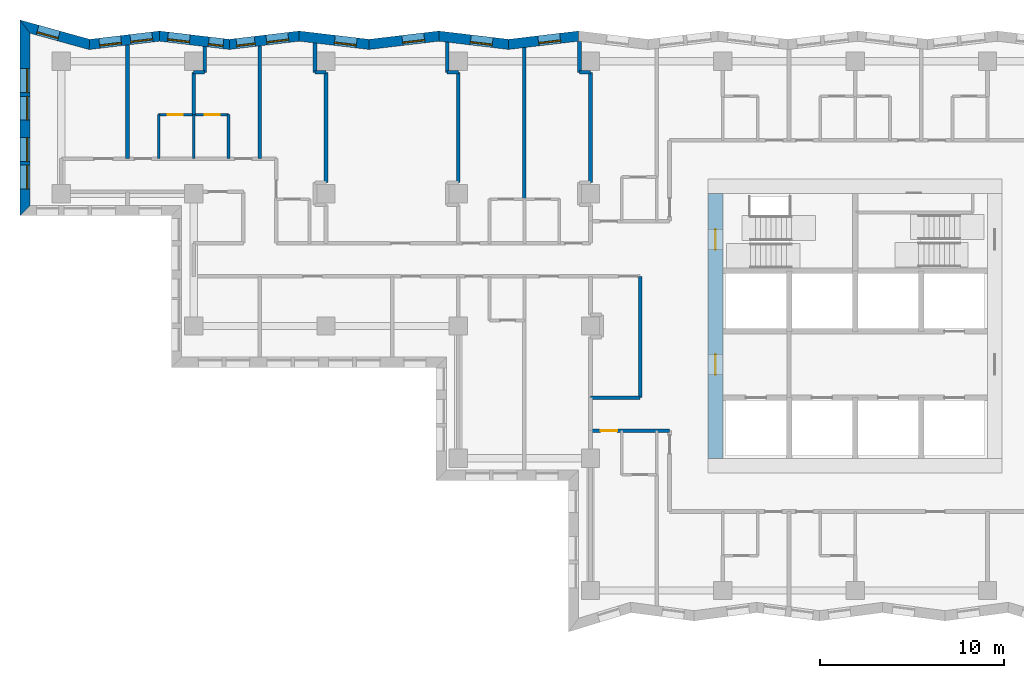
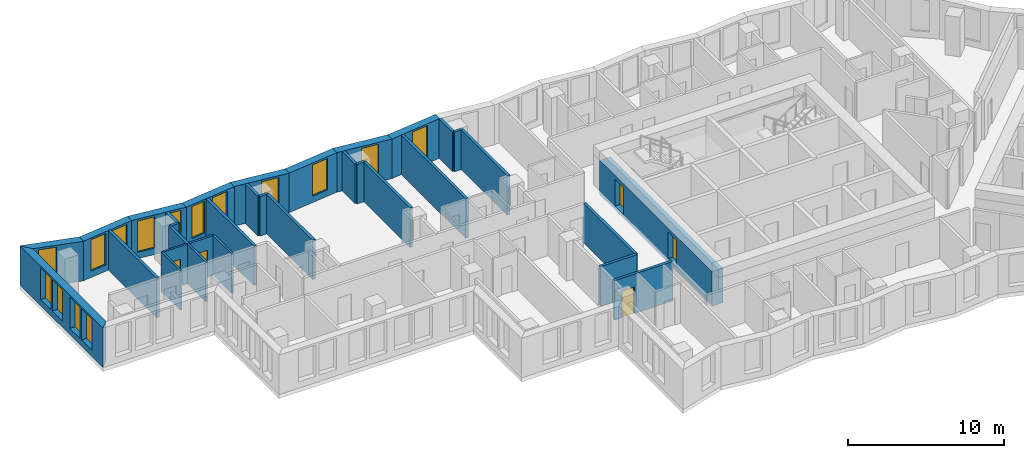
# One storey, part 5 of 13: 32 walls, 15 windows, 5 doors, 20 openings.
"""IFC4 building model written with IfcOpenShell, lengths in metres."""

from ifc_helpers import new_model, si_unit, direction, frame, frame_2d, origin, place, context, subcontext, project, spatial, polyline, rectangle, outline, extrude, material, layer, layer_set, type_object, element, fill, save


model = new_model("IFC4")

# Units and contexts
model_context = context("Model", 3, precision=1e-05, world=origin(), true_north=direction((0.0, 1.0)))
body_context = subcontext(model_context, "Body", "Model", "MODEL_VIEW")
ifc_project = project(units=[si_unit("LENGTHUNIT", "METRE"), si_unit("AREAUNIT", "SQUARE_METRE"), si_unit("VOLUMEUNIT", "CUBIC_METRE"), si_unit("PLANEANGLEUNIT", "RADIAN"), si_unit("MASSUNIT", "GRAM", prefix="KILO")], contexts=[model_context])

# Site, building, storey
site_placement = place(None, origin())
site = spatial("IfcSite", under=ifc_project, at=site_placement, CompositionType="ELEMENT")
building_placement = place(site_placement, origin())
building = spatial("IfcBuilding", under=site, at=building_placement, Name="Windrow Commons", CompositionType="ELEMENT")
storey_placement = place(building_placement, frame((0.0, 0.0, 98.2)))
storey = spatial("IfcBuildingStorey", under=building, at=storey_placement, Name="L26", CompositionType="ELEMENT", Elevation=98.2)

# Wall, opening, window
ifc_material_1 = material(Name="Brick masonry, red clay brick", Category="masonry")
ifc_layer_1 = layer(ifc_material_1, 0.55)
ifc_layer_set_1 = layer_set([ifc_layer_1], Name="Brick facade wall 550")
wall_type_1 = type_object("IfcWallType", Name="Brick facade wall 550", PredefinedType="SOLIDWALL", material=ifc_layer_set_1)
wall_1_placement = place(storey_placement, frame((49.7407, 73.3741, 0.0), z_axis=(0.0, 0.0, 1.0), x_axis=(-0.9930265769, -0.1178907016, 0.0)))
wall_1 = element("IfcWall", 1, at=wall_1_placement, inside=storey, type_object=wall_type_1, Name="Brick facade wall L26 29", PredefinedType="SOLIDWALL", context=body_context, shape_type="SweptSolid", body=[
    extrude(outline(polyline([(-0.0326, -0.275), (3.793, -0.275), (3.8583, 0.275), (0.0326, 0.275), (-0.0326, -0.275)])), origin(), (0.0, 0.0, 1.0), 3.1),
])
opening_1_placement = place(wall_1_placement, frame((0.997, 0.0, 0.5)))
opening_1 = element("IfcOpeningElement", 2, at=opening_1_placement, cuts=wall_1, Name="Opening W7D", PredefinedType="OPENING", context=body_context, shape_type="SweptSolid", body=[
    extrude(rectangle(XDim=1.2, YDim=2.45, at=frame_2d((0.6, 1.225))), frame((0.0, 0.285, 0.0), z_axis=(0.0, -1.0, 0.0), x_axis=(1.0, 0.0, 0.0)), (0.0, 0.0, 1.0), 0.57),
])
ifc_material_2 = material(Name="Clear float glass in anodised aluminium frame", Category="aluminium")
window_type_1 = type_object("IfcWindowType", Name="Window W7 notch 1200x2450", PartitioningType="SINGLE_PANEL", PredefinedType="WINDOW", material=ifc_material_2)
window_1_placement = place(opening_1_placement, origin())
window_1 = element("IfcWindow", 3, at=window_1_placement, inside=storey, type_object=window_type_1, Name="Window L26 29.1", OverallHeight=2.45, OverallWidth=1.2, PartitioningType="SINGLE_PANEL", PredefinedType="WINDOW", context=body_context, shape_type="SweptSolid", body=[
    extrude(rectangle(XDim=1.2, YDim=2.45, at=frame_2d((0.6, 1.225))), frame((0.0, 0.155, 0.0), z_axis=(0.0, -1.0, 0.0), x_axis=(1.0, 0.0, 0.0)), (0.0, 0.0, 1.0), 0.06),
])
fill(opening_1, window_1)

wall_2_placement = place(storey_placement, frame((45.9418, 72.9231, 0.0), z_axis=(0.0, 0.0, 1.0), x_axis=(-0.9930269402, 0.1178876415, 0.0)))
wall_2 = element("IfcWall", 4, at=wall_2_placement, inside=storey, type_object=wall_type_1, Name="Brick facade wall L26 30", PredefinedType="SOLIDWALL", context=body_context, shape_type="SweptSolid", body=[
    extrude(outline(polyline([(0.0326, -0.275), (3.8583, -0.275), (3.793, 0.275), (-0.0326, 0.275), (0.0326, -0.275)])), origin(), (0.0, 0.0, 1.0), 3.1),
])
opening_2_placement = place(wall_2_placement, frame((0.8805, 0.0, 0.5)))
opening_2 = element("IfcOpeningElement", 5, at=opening_2_placement, cuts=wall_2, Name="Opening W7D", PredefinedType="OPENING", context=body_context, shape_type="SweptSolid", body=[
    extrude(rectangle(XDim=1.2, YDim=2.45, at=frame_2d((0.6, 1.225))), frame((0.0, 0.285, 0.0), z_axis=(0.0, -1.0, 0.0), x_axis=(1.0, 0.0, 0.0)), (0.0, 0.0, 1.0), 0.57),
])
window_2_placement = place(opening_2_placement, origin())
window_2 = element("IfcWindow", 6, at=window_2_placement, inside=storey, type_object=window_type_1, Name="Window L26 30.1", OverallHeight=2.45, OverallWidth=1.2, PartitioningType="SINGLE_PANEL", PredefinedType="WINDOW", context=body_context, shape_type="SweptSolid", body=[
    extrude(rectangle(XDim=1.2, YDim=2.45, at=frame_2d((0.6, 1.225))), frame((0.0, 0.155, 0.0), z_axis=(0.0, -1.0, 0.0), x_axis=(1.0, 0.0, 0.0)), (0.0, 0.0, 1.0), 0.06),
])
fill(opening_2, window_2)

wall_3_placement = place(storey_placement, frame((42.1428, 73.3741, 0.0), z_axis=(0.0, 0.0, 1.0), x_axis=(-0.9930269402, -0.1178876415, 0.0)))
wall_3 = element("IfcWall", 7, at=wall_3_placement, inside=storey, type_object=wall_type_1, Name="Brick facade wall L26 31", PredefinedType="SOLIDWALL", context=body_context, shape_type="SweptSolid", body=[
    extrude(outline(polyline([(-0.0326, -0.275), (3.793, -0.275), (3.8583, 0.275), (0.0326, 0.275), (-0.0326, -0.275)])), origin(), (0.0, 0.0, 1.0), 3.1),
])
opening_3_placement = place(wall_3_placement, frame((0.7966, 0.0, 0.5)))
opening_3 = element("IfcOpeningElement", 8, at=opening_3_placement, cuts=wall_3, Name="Opening W7D", PredefinedType="OPENING", context=body_context, shape_type="SweptSolid", body=[
    extrude(rectangle(XDim=1.2, YDim=2.45, at=frame_2d((0.6, 1.225))), frame((0.0, 0.285, 0.0), z_axis=(0.0, -1.0, 0.0), x_axis=(1.0, 0.0, 0.0)), (0.0, 0.0, 1.0), 0.57),
])
window_3_placement = place(opening_3_placement, origin())
window_3 = element("IfcWindow", 9, at=window_3_placement, inside=storey, type_object=window_type_1, Name="Window L26 31.1", OverallHeight=2.45, OverallWidth=1.2, PartitioningType="SINGLE_PANEL", PredefinedType="WINDOW", context=body_context, shape_type="SweptSolid", body=[
    extrude(rectangle(XDim=1.2, YDim=2.45, at=frame_2d((0.6, 1.225))), frame((0.0, 0.155, 0.0), z_axis=(0.0, -1.0, 0.0), x_axis=(1.0, 0.0, 0.0)), (0.0, 0.0, 1.0), 0.06),
])
fill(opening_3, window_3)

wall_4_placement = place(storey_placement, frame((38.3438, 72.9231, 0.0), z_axis=(0.0, 0.0, 1.0), x_axis=(-0.9930265769, 0.1178907016, 0.0)))
wall_4 = element("IfcWall", 10, at=wall_4_placement, inside=storey, type_object=wall_type_1, Name="Brick facade wall L26 32", PredefinedType="SOLIDWALL", context=body_context, shape_type="SweptSolid", body=[
    extrude(outline(polyline([(0.0326, -0.275), (3.8583, -0.275), (3.793, 0.275), (-0.0326, 0.275), (0.0326, -0.275)])), origin(), (0.0, 0.0, 1.0), 3.1),
])
opening_4_placement = place(wall_4_placement, frame((0.6801, 0.0, 0.5)))
opening_4 = element("IfcOpeningElement", 11, at=opening_4_placement, cuts=wall_4, Name="Opening W7D", PredefinedType="OPENING", context=body_context, shape_type="SweptSolid", body=[
    extrude(rectangle(XDim=1.2, YDim=2.45, at=frame_2d((0.6, 1.225))), frame((0.0, 0.285, 0.0), z_axis=(0.0, -1.0, 0.0), x_axis=(1.0, 0.0, 0.0)), (0.0, 0.0, 1.0), 0.57),
])
window_4_placement = place(opening_4_placement, origin())
window_4 = element("IfcWindow", 12, at=window_4_placement, inside=storey, type_object=window_type_1, Name="Window L26 32.1", OverallHeight=2.45, OverallWidth=1.2, PartitioningType="SINGLE_PANEL", PredefinedType="WINDOW", context=body_context, shape_type="SweptSolid", body=[
    extrude(rectangle(XDim=1.2, YDim=2.45, at=frame_2d((0.6, 1.225))), frame((0.0, 0.155, 0.0), z_axis=(0.0, -1.0, 0.0), x_axis=(1.0, 0.0, 0.0)), (0.0, 0.0, 1.0), 0.06),
])
fill(opening_4, window_4)

# Wall, openings, windows
wall_5_placement = place(storey_placement, frame((34.5449, 73.3741, 0.0), z_axis=(0.0, 0.0, 1.0), x_axis=(-0.9930269402, -0.1178876415, 0.0)))
wall_5 = element("IfcWall", 13, at=wall_5_placement, inside=storey, type_object=wall_type_1, Name="Brick facade wall L26 33", PredefinedType="SOLIDWALL", context=body_context, shape_type="SweptSolid", body=[
    extrude(outline(polyline([(-0.0326, -0.275), (3.793, -0.275), (3.8583, 0.275), (0.0326, 0.275), (-0.0326, -0.275)])), origin(), (0.0, 0.0, 1.0), 3.1),
])
opening_5_placement = place(wall_5_placement, frame((0.5963, 0.0, 0.5)))
opening_5 = element("IfcOpeningElement", 14, at=opening_5_placement, cuts=wall_5, Name="Opening W7D", PredefinedType="OPENING", context=body_context, shape_type="SweptSolid", body=[
    extrude(rectangle(XDim=1.2, YDim=2.45, at=frame_2d((0.6, 1.225))), frame((0.0, 0.285, 0.0), z_axis=(0.0, -1.0, 0.0), x_axis=(1.0, 0.0, 0.0)), (0.0, 0.0, 1.0), 0.57),
])
opening_6_placement = place(wall_5_placement, frame((2.4343, 0.0, 0.45)))
opening_6 = element("IfcOpeningElement", 15, at=opening_6_placement, cuts=wall_5, Name="Opening W1S", PredefinedType="OPENING", context=body_context, shape_type="SweptSolid", body=[
    extrude(rectangle(XDim=1.0, YDim=2.5, at=frame_2d((0.5, 1.25))), frame((0.0, 0.285, 0.0), z_axis=(0.0, -1.0, 0.0), x_axis=(1.0, 0.0, 0.0)), (0.0, 0.0, 1.0), 0.57),
])
ifc_material_3 = material(Name="Clear float glass in anodised aluminium frame", Category="aluminium")
window_type_2 = type_object("IfcWindowType", Name="Window W1S slit 1000x2500", PartitioningType="SINGLE_PANEL", PredefinedType="WINDOW", material=ifc_material_3)
window_5_placement = place(opening_6_placement, origin())
window_5 = element("IfcWindow", 16, at=window_5_placement, inside=storey, type_object=window_type_2, Name="Window L26 33.2A", OverallHeight=2.5, OverallWidth=1.0, PartitioningType="SINGLE_PANEL", PredefinedType="WINDOW", context=body_context, shape_type="SweptSolid", body=[
    extrude(rectangle(XDim=1.0, YDim=2.5, at=frame_2d((0.5, 1.25))), frame((0.0, 0.155, 0.0), z_axis=(0.0, -1.0, 0.0), x_axis=(1.0, 0.0, 0.0)), (0.0, 0.0, 1.0), 0.06),
])
fill(opening_6, window_5)
window_6_placement = place(opening_5_placement, origin())
window_6 = element("IfcWindow", 17, at=window_6_placement, inside=storey, type_object=window_type_1, Name="Window L26 33.1", OverallHeight=2.45, OverallWidth=1.2, PartitioningType="SINGLE_PANEL", PredefinedType="WINDOW", context=body_context, shape_type="SweptSolid", body=[
    extrude(rectangle(XDim=1.2, YDim=2.45, at=frame_2d((0.6, 1.225))), frame((0.0, 0.155, 0.0), z_axis=(0.0, -1.0, 0.0), x_axis=(1.0, 0.0, 0.0)), (0.0, 0.0, 1.0), 0.06),
])
fill(opening_5, window_6)

wall_6_placement = place(storey_placement, frame((30.7459, 72.9231, 0.0), z_axis=(0.0, 0.0, 1.0), x_axis=(-0.9930269402, 0.1178876415, 0.0)))
wall_6 = element("IfcWall", 18, at=wall_6_placement, inside=storey, type_object=wall_type_1, Name="Brick facade wall L26 34", PredefinedType="SOLIDWALL", context=body_context, shape_type="SweptSolid", body=[
    extrude(outline(polyline([(0.0326, -0.275), (3.8583, -0.275), (3.793, 0.275), (-0.0326, 0.275), (0.0326, -0.275)])), origin(), (0.0, 0.0, 1.0), 3.1),
])
opening_7_placement = place(wall_6_placement, frame((2.1763, 0.0, 0.5)))
opening_7 = element("IfcOpeningElement", 19, at=opening_7_placement, cuts=wall_6, Name="Opening W7D", PredefinedType="OPENING", context=body_context, shape_type="SweptSolid", body=[
    extrude(rectangle(XDim=1.2, YDim=2.45, at=frame_2d((0.6, 1.225))), frame((0.0, 0.285, 0.0), z_axis=(0.0, -1.0, 0.0), x_axis=(1.0, 0.0, 0.0)), (0.0, 0.0, 1.0), 0.57),
])
opening_8_placement = place(wall_6_placement, frame((0.3365, 0.0, 0.45)))
opening_8 = element("IfcOpeningElement", 20, at=opening_8_placement, cuts=wall_6, Name="Opening W1N", PredefinedType="OPENING", context=body_context, shape_type="SweptSolid", body=[
    extrude(rectangle(XDim=0.8, YDim=2.5, at=frame_2d((0.4, 1.25))), frame((0.0, 0.285, 0.0), z_axis=(0.0, -1.0, 0.0), x_axis=(1.0, 0.0, 0.0)), (0.0, 0.0, 1.0), 0.57),
])
ifc_material_4 = material(Name="Clear float glass in anodised aluminium frame", Category="aluminium")
window_type_3 = type_object("IfcWindowType", Name="Window W1N slit 800x2500", PartitioningType="SINGLE_PANEL", PredefinedType="WINDOW", material=ifc_material_4)
window_7_placement = place(opening_8_placement, origin())
window_7 = element("IfcWindow", 21, at=window_7_placement, inside=storey, type_object=window_type_3, Name="Window L26 34.1A", OverallHeight=2.5, OverallWidth=0.8, PartitioningType="SINGLE_PANEL", PredefinedType="WINDOW", context=body_context, shape_type="SweptSolid", body=[
    extrude(rectangle(XDim=0.8, YDim=2.5, at=frame_2d((0.4, 1.25))), frame((0.0, 0.155, 0.0), z_axis=(0.0, -1.0, 0.0), x_axis=(1.0, 0.0, 0.0)), (0.0, 0.0, 1.0), 0.06),
])
fill(opening_8, window_7)
window_8_placement = place(opening_7_placement, origin())
window_8 = element("IfcWindow", 22, at=window_8_placement, inside=storey, type_object=window_type_1, Name="Window L26 34.2", OverallHeight=2.45, OverallWidth=1.2, PartitioningType="SINGLE_PANEL", PredefinedType="WINDOW", context=body_context, shape_type="SweptSolid", body=[
    extrude(rectangle(XDim=1.2, YDim=2.45, at=frame_2d((0.6, 1.225))), frame((0.0, 0.155, 0.0), z_axis=(0.0, -1.0, 0.0), x_axis=(1.0, 0.0, 0.0)), (0.0, 0.0, 1.0), 0.06),
])
fill(opening_7, window_8)

wall_7_placement = place(storey_placement, frame((26.9469, 73.3741, 0.0), z_axis=(0.0, 0.0, 1.0), x_axis=(-0.9930244072, -0.1179089763, 0.0)))
wall_7 = element("IfcWall", 23, at=wall_7_placement, inside=storey, type_object=wall_type_1, Name="Brick facade wall L26 35", PredefinedType="SOLIDWALL", context=body_context, shape_type="SweptSolid", body=[
    extrude(outline(polyline([(-0.0326, -0.275), (3.793, -0.275), (3.9011, 0.275), (0.0326, 0.275), (-0.0326, -0.275)])), origin(), (0.0, 0.0, 1.0), 3.1),
])
opening_9_placement = place(wall_7_placement, frame((0.3959, 0.0, 0.5)))
opening_9 = element("IfcOpeningElement", 24, at=opening_9_placement, cuts=wall_7, Name="Opening W7D", PredefinedType="OPENING", context=body_context, shape_type="SweptSolid", body=[
    extrude(rectangle(XDim=1.2, YDim=2.45, at=frame_2d((0.6, 1.225))), frame((0.0, 0.285, 0.0), z_axis=(0.0, -1.0, 0.0), x_axis=(1.0, 0.0, 0.0)), (0.0, 0.0, 1.0), 0.57),
])
opening_10_placement = place(wall_7_placement, frame((2.1031, 0.0, 0.5)))
opening_10 = element("IfcOpeningElement", 25, at=opening_10_placement, cuts=wall_7, Name="Opening W7D", PredefinedType="OPENING", context=body_context, shape_type="SweptSolid", body=[
    extrude(rectangle(XDim=1.2, YDim=2.45, at=frame_2d((0.6, 1.225))), frame((0.0, 0.285, 0.0), z_axis=(0.0, -1.0, 0.0), x_axis=(1.0, 0.0, 0.0)), (0.0, 0.0, 1.0), 0.57),
])
window_9_placement = place(opening_9_placement, origin())
window_9 = element("IfcWindow", 26, at=window_9_placement, inside=storey, type_object=window_type_1, Name="Window L26 35.1", OverallHeight=2.45, OverallWidth=1.2, PartitioningType="SINGLE_PANEL", PredefinedType="WINDOW", context=body_context, shape_type="SweptSolid", body=[
    extrude(rectangle(XDim=1.2, YDim=2.45, at=frame_2d((0.6, 1.225))), frame((0.0, 0.155, 0.0), z_axis=(0.0, -1.0, 0.0), x_axis=(1.0, 0.0, 0.0)), (0.0, 0.0, 1.0), 0.06),
])
fill(opening_9, window_9)
window_10_placement = place(opening_10_placement, origin())
window_10 = element("IfcWindow", 27, at=window_10_placement, inside=storey, type_object=window_type_1, Name="Window L26 35.2", OverallHeight=2.45, OverallWidth=1.2, PartitioningType="SINGLE_PANEL", PredefinedType="WINDOW", context=body_context, shape_type="SweptSolid", body=[
    extrude(rectangle(XDim=1.2, YDim=2.45, at=frame_2d((0.6, 1.225))), frame((0.0, 0.155, 0.0), z_axis=(0.0, -1.0, 0.0), x_axis=(1.0, 0.0, 0.0)), (0.0, 0.0, 1.0), 0.06),
])
fill(opening_10, window_10)

# Wall, opening, window
wall_8_placement = place(storey_placement, frame((23.1267, 72.9205, 0.0), z_axis=(0.0, 0.0, 1.0), x_axis=(-0.9637921646, 0.266654577, 0.0)))
wall_8 = element("IfcWall", 28, at=wall_8_placement, inside=storey, type_object=wall_type_1, Name="Brick facade wall L26 36", PredefinedType="SOLIDWALL", context=body_context, shape_type="SweptSolid", body=[
    extrude(outline(polyline([(0.054, -0.275), (3.9957, -0.275), (3.2729, 0.275), (-0.054, 0.275), (0.054, -0.275)])), origin(), (0.0, 0.0, 1.0), 3.1),
])
opening_11_placement = place(wall_8_placement, frame((1.7285, 0.0, 0.5)))
opening_11 = element("IfcOpeningElement", 29, at=opening_11_placement, cuts=wall_8, Name="Opening W7D", PredefinedType="OPENING", context=body_context, shape_type="SweptSolid", body=[
    extrude(rectangle(XDim=1.2, YDim=2.45, at=frame_2d((0.6, 1.225))), frame((0.0, 0.285, 0.0), z_axis=(0.0, -1.0, 0.0), x_axis=(1.0, 0.0, 0.0)), (0.0, 0.0, 1.0), 0.57),
])
window_11_placement = place(opening_11_placement, origin())
window_11 = element("IfcWindow", 30, at=window_11_placement, inside=storey, type_object=window_type_1, Name="Window L26 36.1", OverallHeight=2.45, OverallWidth=1.2, PartitioningType="SINGLE_PANEL", PredefinedType="WINDOW", context=body_context, shape_type="SweptSolid", body=[
    extrude(rectangle(XDim=1.2, YDim=2.45, at=frame_2d((0.6, 1.225))), frame((0.0, 0.155, 0.0), z_axis=(0.0, -1.0, 0.0), x_axis=(1.0, 0.0, 0.0)), (0.0, 0.0, 1.0), 0.06),
])
fill(opening_11, window_11)

# Wall, openings, windows
wall_9_placement = place(storey_placement, frame((19.624, 73.8896, 0.0), z_axis=(0.0, 0.0, 1.0), x_axis=(0.0, -1.0, 0.0)))
wall_9 = element("IfcWall", 31, at=wall_9_placement, inside=storey, type_object=wall_type_1, Name="Brick facade wall L26 37", PredefinedType="SOLIDWALL", context=body_context, shape_type="SweptSolid", body=[
    extrude(outline(polyline([(-0.3614, -0.275), (10.2896, -0.275), (9.7396, 0.275), (0.3614, 0.275), (-0.3614, -0.275)])), origin(), (0.0, 0.0, 1.0), 3.1),
])
opening_12_placement = place(wall_9_placement, frame((2.2896, 0.0, 0.5)))
opening_12 = element("IfcOpeningElement", 32, at=opening_12_placement, cuts=wall_9, Name="Opening W1P", PredefinedType="OPENING", context=body_context, shape_type="SweptSolid", body=[
    extrude(rectangle(XDim=1.3, YDim=2.45, at=frame_2d((0.65, 1.225))), frame((0.0, 0.285, 0.0), z_axis=(0.0, -1.0, 0.0), x_axis=(1.0, 0.0, 0.0)), (0.0, 0.0, 1.0), 0.57),
])
opening_13_placement = place(wall_9_placement, frame((3.7896, 0.0, 0.5)))
opening_13 = element("IfcOpeningElement", 33, at=opening_13_placement, cuts=wall_9, Name="Opening W1P", PredefinedType="OPENING", context=body_context, shape_type="SweptSolid", body=[
    extrude(rectangle(XDim=1.3, YDim=2.45, at=frame_2d((0.65, 1.225))), frame((0.0, 0.285, 0.0), z_axis=(0.0, -1.0, 0.0), x_axis=(1.0, 0.0, 0.0)), (0.0, 0.0, 1.0), 0.57),
])
opening_14_placement = place(wall_9_placement, frame((6.0396, 0.0, 0.5)))
opening_14 = element("IfcOpeningElement", 34, at=opening_14_placement, cuts=wall_9, Name="Opening W1P", PredefinedType="OPENING", context=body_context, shape_type="SweptSolid", body=[
    extrude(rectangle(XDim=1.3, YDim=2.45, at=frame_2d((0.65, 1.225))), frame((0.0, 0.285, 0.0), z_axis=(0.0, -1.0, 0.0), x_axis=(1.0, 0.0, 0.0)), (0.0, 0.0, 1.0), 0.57),
])
opening_15_placement = place(wall_9_placement, frame((7.5396, 0.0, 0.5)))
opening_15 = element("IfcOpeningElement", 35, at=opening_15_placement, cuts=wall_9, Name="Opening W1P", PredefinedType="OPENING", context=body_context, shape_type="SweptSolid", body=[
    extrude(rectangle(XDim=1.3, YDim=2.45, at=frame_2d((0.65, 1.225))), frame((0.0, 0.285, 0.0), z_axis=(0.0, -1.0, 0.0), x_axis=(1.0, 0.0, 0.0)), (0.0, 0.0, 1.0), 0.57),
])
ifc_material_5 = material(Name="Clear float glass in anodised aluminium frame", Category="aluminium")
window_type_4 = type_object("IfcWindowType", Name="Window W1P pair 1300x2450", PartitioningType="SINGLE_PANEL", PredefinedType="WINDOW", material=ifc_material_5)
window_12_placement = place(opening_12_placement, origin())
window_12 = element("IfcWindow", 36, at=window_12_placement, inside=storey, type_object=window_type_4, Name="Window L26 37.1A", OverallHeight=2.45, OverallWidth=1.3, PartitioningType="SINGLE_PANEL", PredefinedType="WINDOW", context=body_context, shape_type="SweptSolid", body=[
    extrude(rectangle(XDim=1.3, YDim=2.45, at=frame_2d((0.65, 1.225))), frame((0.0, 0.155, 0.0), z_axis=(0.0, -1.0, 0.0), x_axis=(1.0, 0.0, 0.0)), (0.0, 0.0, 1.0), 0.06),
])
fill(opening_12, window_12)
window_13_placement = place(opening_13_placement, origin())
window_13 = element("IfcWindow", 37, at=window_13_placement, inside=storey, type_object=window_type_4, Name="Window L26 37.1B", OverallHeight=2.45, OverallWidth=1.3, PartitioningType="SINGLE_PANEL", PredefinedType="WINDOW", context=body_context, shape_type="SweptSolid", body=[
    extrude(rectangle(XDim=1.3, YDim=2.45, at=frame_2d((0.65, 1.225))), frame((0.0, 0.155, 0.0), z_axis=(0.0, -1.0, 0.0), x_axis=(1.0, 0.0, 0.0)), (0.0, 0.0, 1.0), 0.06),
])
fill(opening_13, window_13)
window_14_placement = place(opening_14_placement, origin())
window_14 = element("IfcWindow", 38, at=window_14_placement, inside=storey, type_object=window_type_4, Name="Window L26 37.2A", OverallHeight=2.45, OverallWidth=1.3, PartitioningType="SINGLE_PANEL", PredefinedType="WINDOW", context=body_context, shape_type="SweptSolid", body=[
    extrude(rectangle(XDim=1.3, YDim=2.45, at=frame_2d((0.65, 1.225))), frame((0.0, 0.155, 0.0), z_axis=(0.0, -1.0, 0.0), x_axis=(1.0, 0.0, 0.0)), (0.0, 0.0, 1.0), 0.06),
])
fill(opening_14, window_14)
window_15_placement = place(opening_15_placement, origin())
window_15 = element("IfcWindow", 39, at=window_15_placement, inside=storey, type_object=window_type_4, Name="Window L26 37.2B", OverallHeight=2.45, OverallWidth=1.3, PartitioningType="SINGLE_PANEL", PredefinedType="WINDOW", context=body_context, shape_type="SweptSolid", body=[
    extrude(rectangle(XDim=1.3, YDim=2.45, at=frame_2d((0.65, 1.225))), frame((0.0, 0.155, 0.0), z_axis=(0.0, -1.0, 0.0), x_axis=(1.0, 0.0, 0.0)), (0.0, 0.0, 1.0), 0.06),
])
fill(opening_15, window_15)

# Wall
ifc_material_6 = material(Name="Blockwork partition", Category="masonry")
ifc_layer_2 = layer(ifc_material_6, 0.2)
ifc_layer_set_2 = layer_set([ifc_layer_2], Name="IW-CORRIDOR-200")
wall_type_2 = type_object("IfcWallType", Name="IW-CORRIDOR-200", PredefinedType="PARTITIONING", material=ifc_layer_set_2)
wall_10_placement = place(storey_placement, frame((53.1, 53.7, 0.0), z_axis=(0.0, 0.0, 1.0), x_axis=(0.0, 1.0, 0.0)))
element("IfcWall", 40, at=wall_10_placement, inside=storey, type_object=wall_type_2, Name="W-L26-W024", PredefinedType="PARTITIONING", context=body_context, shape_type="SweptSolid", body=[
    extrude(rectangle(XDim=6.6, YDim=0.2, at=frame_2d((3.3, 0.0))), origin(), (0.0, 0.0, 1.0), 3.1),
])

# Wall, opening, door
wall_11_placement = place(storey_placement, frame((50.4, 51.9, 0.0), z_axis=(0.0, 0.0, 1.0), x_axis=(1.0, 0.0, 0.0)))
wall_11 = element("IfcWall", 41, at=wall_11_placement, inside=storey, type_object=wall_type_2, Name="W-L26-W051", PredefinedType="PARTITIONING", context=body_context, shape_type="SweptSolid", body=[
    extrude(rectangle(XDim=4.3, YDim=0.2, at=frame_2d((2.15, 0.0))), origin(), (0.0, 0.0, 1.0), 3.1),
])
opening_16_placement = place(wall_11_placement, frame((0.5517, 0.0, 0.0)))
opening_16 = element("IfcOpeningElement", 42, at=opening_16_placement, cuts=wall_11, Name="Opening D109S", PredefinedType="OPENING", context=body_context, shape_type="SweptSolid", body=[
    extrude(rectangle(XDim=0.9, YDim=2.1, at=frame_2d((0.45, 1.05))), frame((0.0, 0.11, 0.0), z_axis=(0.0, -1.0, 0.0), x_axis=(1.0, 0.0, 0.0)), (0.0, 0.0, 1.0), 0.22),
])
ifc_material_7 = material(Name="Timber door leaf", Category="wood")
door_type_1 = type_object("IfcDoorType", Name="DT-BEDROOM-900", OperationType="SINGLE_SWING_LEFT", PredefinedType="DOOR", material=ifc_material_7)
door_1_placement = place(opening_16_placement, origin())
door_1 = element("IfcDoor", 43, at=door_1_placement, inside=storey, type_object=door_type_1, Name="D-L26-D026", OperationType="SINGLE_SWING_LEFT", OverallHeight=2.1, OverallWidth=0.9, PredefinedType="DOOR", context=body_context, shape_type="SweptSolid", body=[
    extrude(rectangle(XDim=0.9, YDim=2.1, at=frame_2d((0.45, 1.05))), frame((0.0, 0.025, 0.0), z_axis=(0.0, -1.0, 0.0), x_axis=(1.0, 0.0, 0.0)), (0.0, 0.0, 1.0), 0.05),
])
fill(opening_16, door_1)

# Wall
wall_12_placement = place(storey_placement, frame((50.4, 53.7, 0.0), z_axis=(0.0, 0.0, 1.0), x_axis=(1.0, 0.0, 0.0)))
element("IfcWall", 44, at=wall_12_placement, inside=storey, type_object=wall_type_2, Name="W-L26-W066", PredefinedType="PARTITIONING", context=body_context, shape_type="SweptSolid", body=[
    extrude(rectangle(XDim=2.7, YDim=0.2, at=frame_2d((1.35, 0.0))), origin(), (0.0, 0.0, 1.0), 3.1),
])

# Wall, openings, doors
ifc_material_8 = material(Name="Blockwork partition", Category="masonry")
ifc_layer_3 = layer(ifc_material_8, 0.15)
ifc_layer_set_3 = layer_set([ifc_layer_3], Name="IW-ENSUITE-150")
wall_type_3 = type_object("IfcWallType", Name="IW-ENSUITE-150", PredefinedType="PARTITIONING", material=ifc_layer_set_3)
wall_13_placement = place(storey_placement, frame((26.9, 69.1, 0.0), z_axis=(0.0, 0.0, 1.0), x_axis=(1.0, 0.0, 0.0)))
wall_13 = element("IfcWall", 45, at=wall_13_placement, inside=storey, type_object=wall_type_3, Name="W-L26-W056", PredefinedType="PARTITIONING", context=body_context, shape_type="SweptSolid", body=[
    extrude(rectangle(XDim=3.8, YDim=0.15, at=frame_2d((1.9, 0.0))), origin(), (0.0, 0.0, 1.0), 3.1),
])
opening_17_placement = place(wall_13_placement, frame((0.4931, 0.0, 0.0)))
opening_17 = element("IfcOpeningElement", 46, at=opening_17_placement, cuts=wall_13, Name="Opening D208N", PredefinedType="OPENING", context=body_context, shape_type="SweptSolid", body=[
    extrude(rectangle(XDim=0.8, YDim=2.1, at=frame_2d((0.4, 1.05))), frame((0.0, 0.085, 0.0), z_axis=(0.0, -1.0, 0.0), x_axis=(1.0, 0.0, 0.0)), (0.0, 0.0, 1.0), 0.17),
])
opening_18_placement = place(wall_13_placement, frame((2.5069, 0.0, 0.0)))
opening_18 = element("IfcOpeningElement", 47, at=opening_18_placement, cuts=wall_13, Name="Opening D208N", PredefinedType="OPENING", context=body_context, shape_type="SweptSolid", body=[
    extrude(rectangle(XDim=0.8, YDim=2.1, at=frame_2d((0.4, 1.05))), frame((0.0, 0.085, 0.0), z_axis=(0.0, -1.0, 0.0), x_axis=(1.0, 0.0, 0.0)), (0.0, 0.0, 1.0), 0.17),
])
ifc_material_9 = material(Name="Timber door leaf", Category="wood")
door_type_2 = type_object("IfcDoorType", Name="DT-ENSUITE-800", OperationType="SINGLE_SWING_LEFT", PredefinedType="DOOR", material=ifc_material_9)
door_2_placement = place(opening_17_placement, origin())
door_2 = element("IfcDoor", 48, at=door_2_placement, inside=storey, type_object=door_type_2, Name="D-L26-D003", OperationType="SINGLE_SWING_RIGHT", OverallHeight=2.1, OverallWidth=0.8, PredefinedType="DOOR", context=body_context, shape_type="SweptSolid", body=[
    extrude(rectangle(XDim=0.8, YDim=2.1, at=frame_2d((0.4, 1.05))), frame((0.0, 0.025, 0.0), z_axis=(0.0, -1.0, 0.0), x_axis=(1.0, 0.0, 0.0)), (0.0, 0.0, 1.0), 0.05),
])
fill(opening_17, door_2)
door_3_placement = place(opening_18_placement, origin())
door_3 = element("IfcDoor", 49, at=door_3_placement, inside=storey, type_object=door_type_2, Name="D-L26-D005", OperationType="SINGLE_SWING_RIGHT", OverallHeight=2.1, OverallWidth=0.8, PredefinedType="DOOR", context=body_context, shape_type="SweptSolid", body=[
    extrude(rectangle(XDim=0.8, YDim=2.1, at=frame_2d((0.4, 1.05))), frame((0.0, 0.025, 0.0), z_axis=(0.0, -1.0, 0.0), x_axis=(1.0, 0.0, 0.0)), (0.0, 0.0, 1.0), 0.05),
])
fill(opening_18, door_3)

# Walls
for number, where, z_axis, x_axis, name in (
    (50, (26.9, 66.7, 0.0), (0.0, 0.0, 1.0), (0.0, 1.0, 0.0), "W-L26-W089"),
    (51, (28.8, 66.7, 0.0), (0.0, 0.0, 1.0), (0.0, 1.0, 0.0), "W-L26-W090"),
    (52, (30.7, 66.7, 0.0), (0.0, 0.0, 1.0), (0.0, 1.0, 0.0), "W-L26-W091"),
):
    element("IfcWall", number, at=place(storey_placement, frame(where, z_axis=z_axis, x_axis=x_axis)), inside=storey, type_object=wall_type_3, Name=name, PredefinedType="PARTITIONING", context=body_context, shape_type="SweptSolid", body=[
        extrude(rectangle(XDim=2.4, YDim=0.15, at=frame_2d((1.2, 0.0))), origin(), (0.0, 0.0, 1.0), 3.1),
    ])
ifc_material_10 = material(Name="Blockwork partition", Category="masonry")
ifc_layer_4 = layer(ifc_material_10, 0.2)
ifc_layer_set_4 = layer_set([ifc_layer_4], Name="IW-PARTY-200")
wall_type_4 = type_object("IfcWallType", Name="IW-PARTY-200", PredefinedType="PARTITIONING", material=ifc_layer_set_4)
wall_14_placement = place(storey_placement, frame((46.8, 64.5, 0.0), z_axis=(0.0, 0.0, 1.0), x_axis=(0.0, 1.0, 0.0)))
element("IfcWall", 53, at=wall_14_placement, inside=storey, type_object=wall_type_4, Name="W-L26-W013", PredefinedType="PARTITIONING", context=body_context, shape_type="SweptSolid", body=[
    extrude(rectangle(XDim=8.248, YDim=0.2, at=frame_2d((4.124, 0.0))), origin(), (0.0, 0.0, 1.0), 3.1),
])
wall_15_placement = place(storey_placement, frame((25.2, 66.7, 0.0), z_axis=(0.0, 0.0, 1.0), x_axis=(0.0, 1.0, 0.0)))
element("IfcWall", 54, at=wall_15_placement, inside=storey, type_object=wall_type_4, Name="W-L26-W030", PredefinedType="PARTITIONING", context=body_context, shape_type="SweptSolid", body=[
    extrude(rectangle(XDim=6.1897, YDim=0.2, at=frame_2d((3.0949, 0.0))), origin(), (0.0, 0.0, 1.0), 3.1),
])
wall_16_placement = place(storey_placement, frame((32.4, 66.7, 0.0), z_axis=(0.0, 0.0, 1.0), x_axis=(0.0, 1.0, 0.0)))
element("IfcWall", 55, at=wall_16_placement, inside=storey, type_object=wall_type_4, Name="W-L26-W031", PredefinedType="PARTITIONING", context=body_context, shape_type="SweptSolid", body=[
    extrude(rectangle(XDim=6.1425, YDim=0.2, at=frame_2d((3.0713, 0.0))), origin(), (0.0, 0.0, 1.0), 3.1),
])
for number, where, z_axis, x_axis, name in (
    (56, (36.0, 65.404, 0.0), (0.0, 0.0, 1.0), (0.0, 1.0, 0.0), "W-L26-W033"),
    (57, (43.2, 65.404, 0.0), (0.0, 0.0, 1.0), (0.0, 1.0, 0.0), "W-L26-W034"),
    (58, (50.4, 65.404, 0.0), (0.0, 0.0, 1.0), (0.0, 1.0, 0.0), "W-L26-W035"),
):
    element("IfcWall", number, at=place(storey_placement, frame(where, z_axis=z_axis, x_axis=x_axis)), inside=storey, type_object=wall_type_4, Name=name, PredefinedType="PARTITIONING", context=body_context, shape_type="SweptSolid", body=[
        extrude(rectangle(XDim=5.992, YDim=0.2, at=frame_2d((2.996, 0.0))), origin(), (0.0, 0.0, 1.0), 3.1),
    ])
wall_17_placement = place(storey_placement, frame((28.8, 69.1, 0.0), z_axis=(0.0, 0.0, 1.0), x_axis=(0.0, 1.0, 0.0)))
element("IfcWall", 59, at=wall_17_placement, inside=storey, type_object=wall_type_4, Name="W-L26-W114", PredefinedType="PARTITIONING", context=body_context, shape_type="SweptSolid", body=[
    extrude(rectangle(XDim=2.296, YDim=0.2, at=frame_2d((1.148, 0.0))), origin(), (0.0, 0.0, 1.0), 3.1),
])
wall_18_placement = place(storey_placement, frame((49.8, 71.396, 0.0), z_axis=(0.0, 0.0, 1.0), x_axis=(0.0, 1.0, 0.0)))
element("IfcWall", 60, at=wall_18_placement, inside=storey, type_object=wall_type_4, Name="W-L26-W158", PredefinedType="PARTITIONING", context=body_context, shape_type="SweptSolid", body=[
    extrude(rectangle(XDim=1.6941, YDim=0.2, at=frame_2d((0.847, 0.0))), origin(), (0.0, 0.0, 1.0), 3.1),
])
wall_19_placement = place(storey_placement, frame((42.6, 71.396, 0.0), z_axis=(0.0, 0.0, 1.0), x_axis=(0.0, 1.0, 0.0)))
element("IfcWall", 61, at=wall_19_placement, inside=storey, type_object=wall_type_4, Name="W-L26-W160", PredefinedType="PARTITIONING", context=body_context, shape_type="SweptSolid", body=[
    extrude(rectangle(XDim=1.6469, YDim=0.2, at=frame_2d((0.8235, 0.0))), origin(), (0.0, 0.0, 1.0), 3.1),
])
wall_20_placement = place(storey_placement, frame((35.4, 71.396, 0.0), z_axis=(0.0, 0.0, 1.0), x_axis=(0.0, 1.0, 0.0)))
element("IfcWall", 62, at=wall_20_placement, inside=storey, type_object=wall_type_4, Name="W-L26-W162", PredefinedType="PARTITIONING", context=body_context, shape_type="SweptSolid", body=[
    extrude(rectangle(XDim=1.5996, YDim=0.2, at=frame_2d((0.7998, 0.0))), origin(), (0.0, 0.0, 1.0), 3.1),
])
wall_21_placement = place(storey_placement, frame((29.4, 71.396, 0.0), z_axis=(0.0, 0.0, 1.0), x_axis=(0.0, 1.0, 0.0)))
element("IfcWall", 63, at=wall_21_placement, inside=storey, type_object=wall_type_4, Name="W-L26-W171", PredefinedType="PARTITIONING", context=body_context, shape_type="SweptSolid", body=[
    extrude(rectangle(XDim=1.4099, YDim=0.2, at=frame_2d((0.7049, 0.0))), origin(), (0.0, 0.0, 1.0), 3.1),
])
for number, where, z_axis, x_axis, name in (
    (64, (35.4, 71.4, 0.0), (0.0, 0.0, 1.0), (1.0, 0.0, 0.0), "W-L26-W192"),
    (65, (42.6, 71.4, 0.0), (0.0, 0.0, 1.0), (1.0, 0.0, 0.0), "W-L26-W193"),
    (66, (49.8, 71.4, 0.0), (0.0, 0.0, 1.0), (1.0, 0.0, 0.0), "W-L26-W194"),
    (67, (28.8, 71.4, 0.0), (0.0, 0.0, 1.0), (1.0, 0.0, 0.0), "W-L26-W203"),
):
    element("IfcWall", number, at=place(storey_placement, frame(where, z_axis=z_axis, x_axis=x_axis)), inside=storey, type_object=wall_type_4, Name=name, PredefinedType="PARTITIONING", context=body_context, shape_type="SweptSolid", body=[
        extrude(rectangle(XDim=0.6, YDim=0.2, at=frame_2d((0.3, 0.0))), origin(), (0.0, 0.0, 1.0), 3.1),
    ])

# Wall, openings, doors
ifc_material_11 = material(Name="Concrete C50/60", Category="concrete")
ifc_layer_5 = layer(ifc_material_11, 0.8)
ifc_layer_set_5 = layer_set([ifc_layer_5], Name="RC CORE WALL 800 C50/60")
wall_type_5 = type_object("IfcWallType", Name="RC CORE WALL 800 C50/60", PredefinedType="SHEAR", material=ifc_layer_set_5)
wall_22_placement = place(storey_placement, frame((57.2, 50.4, -0.3), z_axis=(0.0, 0.0, 1.0), x_axis=(0.0, 1.0, 0.0)))
wall_22 = element("IfcWall", 68, at=wall_22_placement, inside=storey, type_object=wall_type_5, Name="Core A wall outer-W", PredefinedType="SHEAR", context=body_context, shape_type="SweptSolid", body=[
    extrude(rectangle(XDim=14.4, YDim=0.8, at=frame_2d((7.2, 0.0))), origin(), (0.0, 0.0, 1.0), 2.7),
])
opening_19_placement = place(wall_22_placement, frame((4.55, 0.0, 0.3)))
opening_19 = element("IfcOpeningElement", 69, at=opening_19_placement, cuts=wall_22, Name="Opening D6", PredefinedType="OPENING", context=body_context, shape_type="SweptSolid", body=[
    extrude(rectangle(XDim=1.1, YDim=2.1, at=frame_2d((0.55, 1.05))), frame((0.0, 0.41, 0.0), z_axis=(0.0, -1.0, 0.0), x_axis=(1.0, 0.0, 0.0)), (0.0, 0.0, 1.0), 0.82),
])
opening_20_placement = place(wall_22_placement, frame((11.35, 0.0, 0.3)))
opening_20 = element("IfcOpeningElement", 70, at=opening_20_placement, cuts=wall_22, Name="Opening D7", PredefinedType="OPENING", context=body_context, shape_type="SweptSolid", body=[
    extrude(rectangle(XDim=1.1, YDim=2.1, at=frame_2d((0.55, 1.05))), frame((0.0, 0.41, 0.0), z_axis=(0.0, -1.0, 0.0), x_axis=(1.0, 0.0, 0.0)), (0.0, 0.0, 1.0), 0.82),
])
ifc_material_12 = material(Name="Steel fire door leaf", Category="steel")
door_type_3 = type_object("IfcDoorType", Name="Core lobby door 1100", OperationType="SINGLE_SWING_LEFT", PredefinedType="DOOR", material=ifc_material_12)
door_4_placement = place(opening_19_placement, origin())
door_4 = element("IfcDoor", 71, at=door_4_placement, inside=storey, type_object=door_type_3, Name="Lift lobby door", OperationType="DOUBLE_DOOR_SINGLE_SWING", OverallHeight=2.1, OverallWidth=1.1, PredefinedType="DOOR", context=body_context, shape_type="SweptSolid", body=[
    extrude(rectangle(XDim=1.1, YDim=2.1, at=frame_2d((0.55, 1.05))), frame((0.0, 0.025, 0.0), z_axis=(0.0, -1.0, 0.0), x_axis=(1.0, 0.0, 0.0)), (0.0, 0.0, 1.0), 0.05),
])
fill(opening_19, door_4)
ifc_material_13 = material(Name="Steel fire door leaf", Category="steel")
door_type_4 = type_object("IfcDoorType", Name="Stair door 1100", OperationType="SINGLE_SWING_LEFT", PredefinedType="DOOR", material=ifc_material_13)
door_5_placement = place(opening_20_placement, origin())
door_5 = element("IfcDoor", 72, at=door_5_placement, inside=storey, type_object=door_type_4, Name="Stair door", OperationType="SINGLE_SWING_LEFT", OverallHeight=2.1, OverallWidth=1.1, PredefinedType="DOOR", context=body_context, shape_type="SweptSolid", body=[
    extrude(rectangle(XDim=1.1, YDim=2.1, at=frame_2d((0.55, 1.05))), frame((0.0, 0.025, 0.0), z_axis=(0.0, -1.0, 0.0), x_axis=(1.0, 0.0, 0.0)), (0.0, 0.0, 1.0), 0.05),
])
fill(opening_20, door_5)

save(model, "model.ifc")
